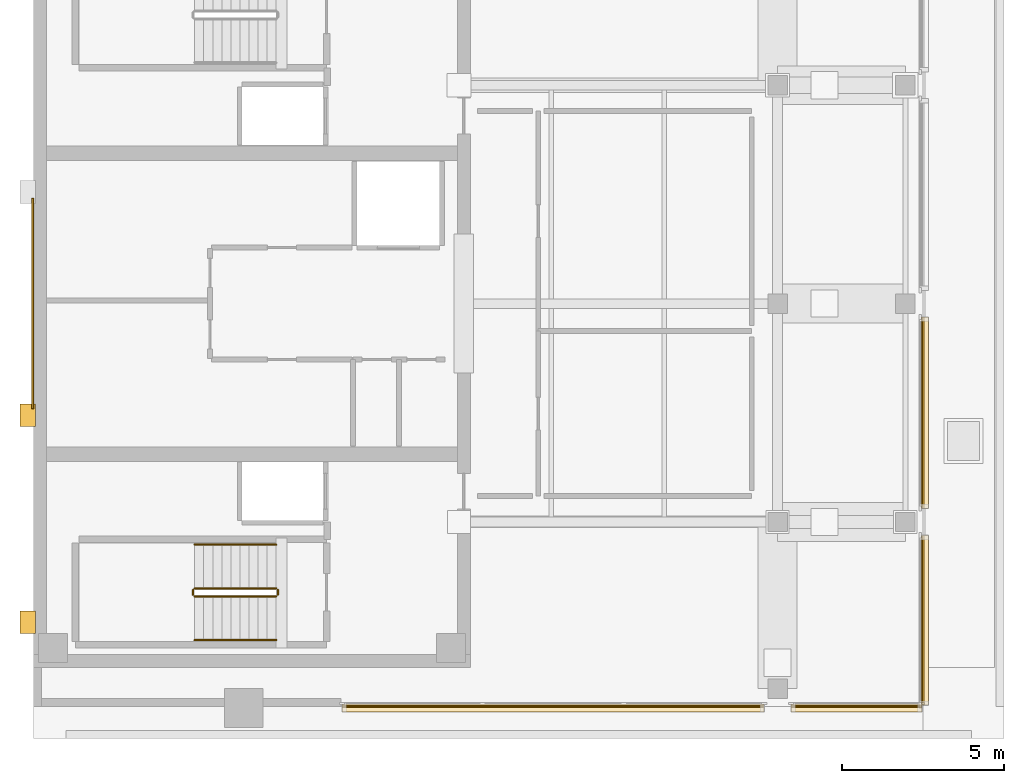
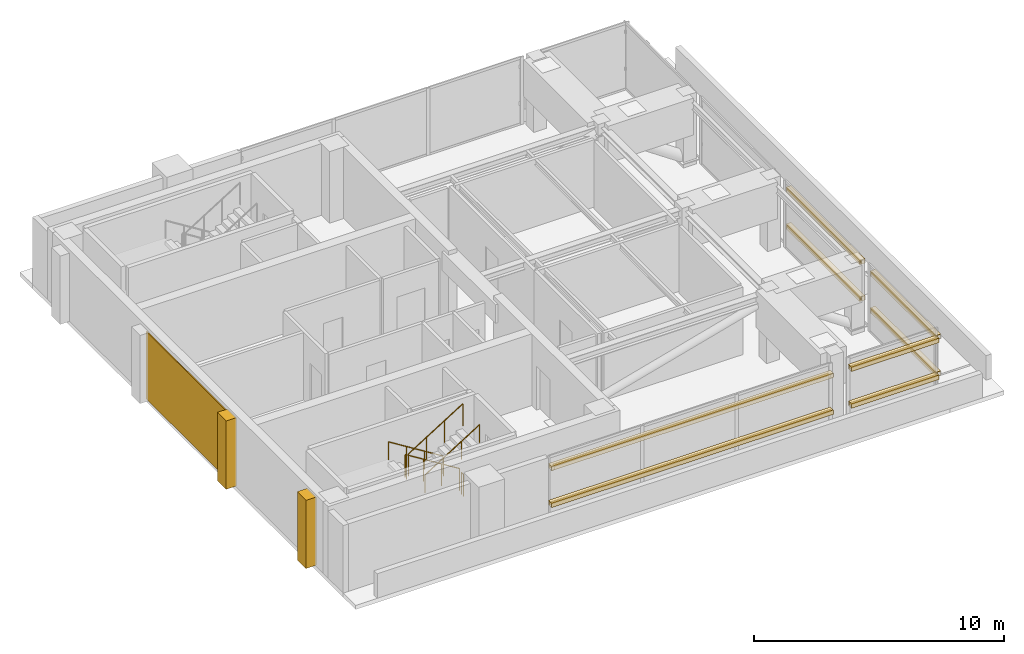
# One storey, part 7 of 9: 11 coverings, 8 shading devices, 6 railings.
"""IFC4 building model written with IfcOpenShell, lengths in metres."""

import ifcopenshell
import ifcopenshell.guid

model = None  # the IFC model being written
_history = None  # IfcOwnerHistory: only IFC2X3 demands one
_inside = {}  # id of a spatial element -> (the spatial element, [elements in it])
_under = {}  # id of a project, library or spatial element -> (it, [spatial elements below it])
_declared = {}  # id of a project -> (the project, [libraries it declares])
_typed = {}  # id of a type object -> (the type object, [elements of that type])
_made_of = {}  # id of a material, layer set ... -> (it, [elements and type objects made of it])


def new_model(schema):
    """Start an empty IFC model of exactly this schema.

    Asked for "IFC4X3", IfcOpenShell would pick the latest addendum, in which some entities
    have other attributes; the version numbers below select the first issue.
    IFC2X3 requires an IfcOwnerHistory on every rooted entity: one is made here for all.
    """
    global model, _history
    if schema == "IFC4X3":
        model = ifcopenshell.file(schema_version=(4, 3, 0, 0))
    else:
        model = ifcopenshell.file(schema=schema)
    _inside.clear()
    _under.clear()
    _declared.clear()
    _typed.clear()
    _made_of.clear()
    _history = None
    if model.schema == "IFC2X3":
        org = make("IfcOrganization", Name="unknown")
        user = make(
            "IfcPersonAndOrganization",
            ThePerson=make("IfcPerson", FamilyName="unknown"),
            TheOrganization=org,
        )
        app = make(
            "IfcApplication",
            ApplicationDeveloper=org,
            Version="unknown",
            ApplicationFullName="unknown",
            ApplicationIdentifier="unknown",
        )
        _history = make(
            "IfcOwnerHistory",
            OwningUser=user,
            OwningApplication=app,
            ChangeAction="ADDED",
            CreationDate=0,
        )
    return model


def make(cls, **values):
    """One entity of the class cls with the attributes given. An attribute that is None is left unset."""
    return model.create_entity(
        cls, **{name: value for name, value in values.items() if value is not None}
    )


def rooted(cls, **values):
    """An entity with a GlobalId (a new one), such as an element, a storey or a relation."""
    return make(cls, GlobalId=ifcopenshell.guid.new(), OwnerHistory=_history, **values)


def si_unit(unit_type, name, prefix=None):
    """IfcSIUnit, for example si_unit("LENGTHUNIT", "METRE", prefix="MILLI")."""
    return make("IfcSIUnit", UnitType=unit_type, Prefix=prefix, Name=name)


def assignment(units):
    """IfcUnitAssignment: the units of a project."""
    return None if units is None else make("IfcUnitAssignment", Units=units)


def point(xyz):
    """IfcCartesianPoint."""
    return None if xyz is None else make("IfcCartesianPoint", Coordinates=xyz)


def direction(xyz):
    """IfcDirection."""
    return None if xyz is None else make("IfcDirection", DirectionRatios=xyz)


def frame(location, z_axis=None, x_axis=None):
    """IfcAxis2Placement3D, a coordinate frame: its origin and axes. An axis left out is left unset."""
    return make(
        "IfcAxis2Placement3D",
        Location=point(location),
        Axis=direction(z_axis),
        RefDirection=direction(x_axis),
    )


def frame_2d(location, x_axis=None):
    """IfcAxis2Placement2D, a coordinate frame in the plane: its origin and x axis."""
    return make(
        "IfcAxis2Placement2D", Location=point(location), RefDirection=direction(x_axis)
    )


def origin():
    """The frame at (0, 0, 0) with its axes left unset."""
    return frame((0.0, 0.0, 0.0))


def origin_2d():
    """The frame at (0, 0) in the plane with its x axis left unset."""
    return frame_2d((0.0, 0.0))


def place(relative_to, where):
    """IfcLocalPlacement: puts the frame where relative to a parent placement (None: the world)."""
    return make(
        "IfcLocalPlacement", PlacementRelTo=relative_to, RelativePlacement=where
    )


def context(
    kind, dimensions, precision=None, world=None, true_north=None, identifier=None
):
    """IfcGeometricRepresentationContext, for example the 3D "Model" context."""
    return make(
        "IfcGeometricRepresentationContext",
        ContextIdentifier=identifier,
        ContextType=kind,
        CoordinateSpaceDimension=dimensions,
        Precision=precision,
        WorldCoordinateSystem=world,
        TrueNorth=true_north,
    )


def subcontext(parent, identifier, kind, view, scale=None):
    """IfcGeometricRepresentationSubContext, for example "Body" below "Model"."""
    return make(
        "IfcGeometricRepresentationSubContext",
        ContextIdentifier=identifier,
        ContextType=kind,
        ParentContext=parent,
        TargetScale=scale,
        TargetView=view,
    )


def project(units=None, contexts=None):
    """IfcProject with its units and contexts."""
    return rooted(
        "IfcProject",
        Name="project",
        RepresentationContexts=contexts,
        UnitsInContext=assignment(units),
    )


def spatial(cls, under=None, at=None, **own):
    """A site, building, storey or space (cls), placed at a placement, below another one or the project."""
    s = rooted(cls, ObjectPlacement=at, **own)
    if under is not None:
        _under.setdefault(under.id(), (under, []))[1].append(s)
    return s


def polyline(points):
    """IfcPolyline through the points."""
    return make("IfcPolyline", Points=[point(p) for p in points])


def profile(cls, at=None, kind="AREA", **sizes):
    """A parametric profile (cls). Its sizes go by their IFC names, for example OverallWidth=200.0."""
    return make(cls, ProfileType=kind, Position=at, **sizes)


def rectangle(**sizes):
    """IfcRectangleProfileDef."""
    return profile("IfcRectangleProfileDef", **sizes)


def circle(**sizes):
    """IfcCircleProfileDef."""
    return profile("IfcCircleProfileDef", **sizes)


def outline(outer, holes=None, kind="AREA"):
    """IfcArbitraryClosedProfileDef: a profile drawn as a closed curve; with holes, ...WithVoids."""
    if holes is None:
        return make("IfcArbitraryClosedProfileDef", ProfileType=kind, OuterCurve=outer)
    return make(
        "IfcArbitraryProfileDefWithVoids",
        ProfileType=kind,
        OuterCurve=outer,
        InnerCurves=holes,
    )


def extrude(swept, where, along, depth):
    """IfcExtrudedAreaSolid: the profile swept, set in the frame where, extruded along a direction by depth."""
    return make(
        "IfcExtrudedAreaSolid",
        SweptArea=swept,
        Position=where,
        ExtrudedDirection=direction(along),
        Depth=depth,
    )


def shape(context_of_items, identifier, shape_type, items):
    """IfcShapeRepresentation: the items that make up one representation, for example the "Body"."""
    return make(
        "IfcShapeRepresentation",
        ContextOfItems=context_of_items,
        RepresentationIdentifier=identifier,
        RepresentationType=shape_type,
        Items=items,
    )


def material(Name=None, Category=None):
    """IfcMaterial."""
    return make("IfcMaterial", Name=Name, Category=Category)


def layer(
    of_material, thickness, ventilated=None, Name=None, Category=None, Priority=None
):
    """IfcMaterialLayer: one layer of a wall or slab, of a material (None: an air gap)."""
    return make(
        "IfcMaterialLayer",
        Material=of_material,
        LayerThickness=thickness,
        IsVentilated=ventilated,
        Name=Name,
        Category=Category,
        Priority=Priority,
    )


def layer_set(layers, Name=None):
    """IfcMaterialLayerSet."""
    return make("IfcMaterialLayerSet", MaterialLayers=layers, LayerSetName=Name)


def material_profile(
    of_material, cross_section, Name=None, Category=None, Priority=None
):
    """IfcMaterialProfile: a cross section and its material."""
    return make(
        "IfcMaterialProfile",
        Name=Name,
        Material=of_material,
        Profile=cross_section,
        Priority=Priority,
        Category=Category,
    )


def profile_set(profiles, Name=None, composite=None):
    """IfcMaterialProfileSet."""
    return make(
        "IfcMaterialProfileSet",
        Name=Name,
        MaterialProfiles=profiles,
        CompositeProfile=composite,
    )


def made_of(thing, what):
    """Note that an element or type object is made of a material, layer set ...; save() writes the relation."""
    if what is not None:
        _made_of.setdefault(what.id(), (what, []))[1].append(thing)
    return thing


def type_object(cls, material=None, **own):
    """A type object (cls), such as IfcWallType, which elements share."""
    return made_of(rooted(cls, **own), material)


def element(
    cls,
    number,
    at=None,
    inside=None,
    cuts=None,
    type_object=None,
    material=None,
    context=None,
    identifier="Body",
    shape_type=None,
    held_by="IfcProductDefinitionShape",
    body=None,
    shapes=None,
    **own,
):
    """One element of the class cls, such as IfcWall. Its Tag is "e" and its number.

    at: its placement. inside: the storey or other place that contains it. cuts: it is an
    opening in that element (IfcRelVoidsElement). A single representation is given by context,
    identifier, shape_type and body (its items); several are given by shapes. held_by: the class
    of the entity that holds the representations. save() writes the other relations.
    """
    e = rooted(cls, Tag="e%d" % number, ObjectPlacement=at, **own)
    if body is not None:
        shapes = [shape(context, identifier, shape_type, body)]
    if shapes is not None:
        e.Representation = make(held_by, Representations=shapes)
    if inside is not None:
        _inside.setdefault(inside.id(), (inside, []))[1].append(e)
    if cuts is not None:
        rooted(
            "IfcRelVoidsElement", RelatingBuildingElement=cuts, RelatedOpeningElement=e
        )
    if type_object is not None:
        _typed.setdefault(type_object.id(), (type_object, []))[1].append(e)
    return made_of(e, material)


def aggregate(whole, parts):
    """IfcRelAggregates: a whole, such as a stair, and the parts it consists of."""
    return rooted("IfcRelAggregates", RelatingObject=whole, RelatedObjects=parts)


def save(model, path):
    """Write the relations noted so far, then the file.

    IfcRelAggregates (storeys below a building ...), IfcRelContainedInSpatialStructure (elements
    in a storey), IfcRelDefinesByType, IfcRelAssociatesMaterial and IfcRelDeclares: one each for
    every whole, place, type object, material and project.
    """
    for whole, parts in _under.values():
        aggregate(whole, parts)
    for where, things in _inside.values():
        rooted(
            "IfcRelContainedInSpatialStructure",
            RelatedElements=things,
            RelatingStructure=where,
        )
    for kind, things in _typed.values():
        rooted("IfcRelDefinesByType", RelatedObjects=things, RelatingType=kind)
    for what, things in _made_of.values():
        rooted("IfcRelAssociatesMaterial", RelatedObjects=things, RelatingMaterial=what)
    for by, libraries in _declared.values():
        rooted("IfcRelDeclares", RelatingContext=by, RelatedDefinitions=libraries)
    model.write(path)


model = new_model("IFC4")

# Units and contexts
model_context = context("Model", 3, precision=1e-05, world=origin(), true_north=direction((0.0, 1.0)))
body_context = subcontext(model_context, "Body", "Model", "MODEL_VIEW")
ifc_project = project(units=[si_unit("LENGTHUNIT", "METRE"), si_unit("AREAUNIT", "SQUARE_METRE"), si_unit("VOLUMEUNIT", "CUBIC_METRE"), si_unit("PLANEANGLEUNIT", "RADIAN"), si_unit("MASSUNIT", "GRAM", prefix="KILO")], contexts=[model_context])

# Site, building, storey
site_placement = place(None, origin())
site = spatial("IfcSite", under=ifc_project, at=site_placement, CompositionType="ELEMENT")
building_placement = place(site_placement, origin())
building = spatial("IfcBuilding", under=site, at=building_placement, Name="Kinhvarn Gate Tower", CompositionType="ELEMENT")
storey_placement = place(building_placement, frame((0.0, 0.0, 318.050048828125)))
storey = spatial("IfcBuildingStorey", under=building, at=storey_placement, Name="L84", CompositionType="ELEMENT", Elevation=318.050048828125)

# Coverings
ifc_material_1 = material(Name="Fired architectural terracotta", Category="masonry")
ifc_layer_1 = layer(ifc_material_1, 0.239990234375)
ifc_layer_set_1 = layer_set([ifc_layer_1], Name="Fired architectural terracotta")
covering_type_1 = type_object("IfcCoveringType", Name="COV-BAG-220", PredefinedType="CLADDING", material=ifc_layer_set_1)
for number, where, name in (
    (1, (0.0, 0.0, 0.93994140625), "Terracotta Horizontal Sunscreen Band TBG-220 (L84)"),
    (2, (0.0, 0.0, 2.739990234375), "Terracotta Horizontal Sunscreen Band TBG-220 (L84)"),
):
    element("IfcCovering", number, at=place(storey_placement, frame(where)), inside=storey, type_object=covering_type_1, Name=name, PredefinedType="CLADDING", context=body_context, shape_type="SweptSolid", body=[
        extrude(outline(polyline([(14.0400390625, 12.8701171875), (27.080078125, 12.8701171875), (27.080078125, 12.6298828125), (14.0400390625, 12.6298828125), (14.0400390625, 12.8701171875)])), origin(), (0.0, 0.0, 1.0), 0.219970703125),
    ])
for number, where, name in (
    (3, (0.0, 0.0, 0.93994140625), "Terracotta Horizontal Sunscreen Band TBG-220 (L84)"),
    (4, (0.0, 0.0, 2.739990234375), "Terracotta Horizontal Sunscreen Band TBG-220 (L84)"),
):
    element("IfcCovering", number, at=place(storey_placement, frame(where)), inside=storey, type_object=covering_type_1, Name=name, PredefinedType="CLADDING", context=body_context, shape_type="SweptSolid", body=[
        extrude(outline(polyline([(27.919921875, 12.8701171875), (31.9599609375, 12.8701171875), (31.9599609375, 12.6298828125), (27.919921875, 12.6298828125), (27.919921875, 12.8701171875)])), origin(), (0.0, 0.0, 1.0), 0.219970703125),
    ])
for number, where, name in (
    (5, (0.0, 0.0, 0.93994140625), "Terracotta Horizontal Sunscreen Band TBG-220 (L84)"),
    (6, (0.0, 0.0, 2.739990234375), "Terracotta Horizontal Sunscreen Band TBG-220 (L84)"),
):
    element("IfcCovering", number, at=place(storey_placement, frame(where)), inside=storey, type_object=covering_type_1, Name=name, PredefinedType="CLADDING", context=body_context, shape_type="SweptSolid", body=[
        extrude(outline(polyline([(31.929931640625, 12.840087890625), (31.929931640625, 18.080078125), (32.169921875, 18.080078125), (32.169921875, 12.840087890625), (31.929931640625, 12.840087890625)])), origin(), (0.0, 0.0, 1.0), 0.219970703125),
    ])
for number, where, name in (
    (7, (0.0, 0.0, 0.93994140625), "Terracotta Horizontal Sunscreen Band TBG-220 (L84)"),
    (8, (0.0, 0.0, 2.739990234375), "Terracotta Horizontal Sunscreen Band TBG-220 (L84)"),
):
    element("IfcCovering", number, at=place(storey_placement, frame(where)), inside=storey, type_object=covering_type_1, Name=name, PredefinedType="CLADDING", context=body_context, shape_type="SweptSolid", body=[
        extrude(outline(polyline([(31.929931640625, 18.919921875), (31.929931640625, 24.830078125), (32.169921875, 24.830078125), (32.169921875, 18.919921875), (31.929931640625, 18.919921875)])), origin(), (0.0, 0.0, 1.0), 0.219970703125),
    ])
ifc_layer_2 = layer(ifc_material_1, 0.050048828125)
ifc_layer_set_2 = layer_set([ifc_layer_2], Name="Fired architectural terracotta")
covering_type_2 = type_object("IfcCoveringType", Name="COV-CLD-50", PredefinedType="CLADDING", material=ifc_layer_set_2)
covering_1_placement = place(storey_placement, origin())
element("IfcCovering", 9, at=covering_1_placement, inside=storey, type_object=covering_type_2, Name="West Core Terracotta Cladding Feature Panel (L84)", PredefinedType="CLADDING", context=body_context, shape_type="SweptSolid", body=[
    extrude(outline(polyline([(4.449951171875, 22.0), (4.5, 22.0), (4.5, 28.5), (4.449951171875, 28.5), (4.449951171875, 22.0)])), origin(), (0.0, 0.0, 1.0), 3.300048828125),
])
ifc_material_2 = material(Name="Precast white architectural concrete C40/50", Category="concrete")
ifc_layer_3 = layer(ifc_material_2, 0.47998046875)
ifc_layer_set_3 = layer_set([ifc_layer_3], Name="Precast white architectural concrete C40/50")
covering_type_3 = type_object("IfcCoveringType", Name="COV-RIB-450", PredefinedType="CLADDING", material=ifc_layer_set_3)
covering_2_placement = place(storey_placement, frame((0.0, 0.0, -0.02001953125)))
element("IfcCovering", 10, at=covering_2_placement, inside=storey, type_object=covering_type_3, Name="West Core Sculptural Concrete Relief Rib CRB-450 (L84)", PredefinedType="CLADDING", context=body_context, shape_type="SweptSolid", body=[
    extrude(outline(polyline([(4.080078125, 15.050048828125), (4.56005859375, 15.050048828125), (4.56005859375, 15.75), (4.080078125, 15.75), (4.080078125, 15.050048828125)])), origin(), (0.0, 0.0, 1.0), 3.340087890625),
])
covering_3_placement = place(storey_placement, frame((0.0, 0.0, -0.02001953125)))
element("IfcCovering", 11, at=covering_3_placement, inside=storey, type_object=covering_type_3, Name="West Core Sculptural Concrete Relief Rib CRB-450 (L84)", PredefinedType="CLADDING", context=body_context, shape_type="SweptSolid", body=[
    extrude(outline(polyline([(4.080078125, 21.449951171875), (4.56005859375, 21.449951171875), (4.56005859375, 22.14990234375), (4.080078125, 22.14990234375), (4.080078125, 21.449951171875)])), origin(), (0.0, 0.0, 1.0), 3.340087890625),
])

# Railings
ifc_material_3 = material(Name="Steel S355", Category="steel")
railing_type_1 = type_object("IfcRailingType", Name="RL-ST-GRD", PredefinedType="BALUSTRADE", material=ifc_material_3)
railing_1_placement = place(storey_placement, frame((12.0, 16.449951171875, 0.175048828125)))
element("IfcRailing", 12, at=railing_1_placement, inside=storey, type_object=railing_type_1, Name="L84 ST1 stair guard 1", PredefinedType="BALUSTRADE", context=body_context, shape_type="SweptSolid", body=[
    extrude(circle(Radius=0.02392578125, at=origin_2d()), frame((0.0, 0.0, 1.076171875), z_axis=(-0.848007534815, 0.0, 0.529984170421), x_axis=(0.0, -1.0, 0.0)), (0.0, 0.0, 1.0), 2.9716796875),
    extrude(circle(Radius=0.02099609375, at=origin_2d()), origin(), (0.0, 0.0, 1.0), 1.052001953125),
    extrude(circle(Radius=0.02099609375, at=origin_2d()), frame((-0.840087890625, 0.0, 0.52490234375)), (0.0, 0.0, 1.0), 1.052001953125),
    extrude(circle(Radius=0.02099609375, at=origin_2d()), frame((-1.679931640625, 0.0, 1.050048828125)), (0.0, 0.0, 1.0), 1.052001953125),
    extrude(circle(Radius=0.02099609375, at=origin_2d()), frame((-2.52001953125, 0.0, 1.574951171875)), (0.0, 0.0, 1.0), 1.052001953125),
])
railing_2_placement = place(storey_placement, frame((9.429931640625, 16.39990234375, 1.75)))
element("IfcRailing", 13, at=railing_2_placement, inside=storey, type_object=railing_type_1, Name="L84 ST1 stair guard 2", PredefinedType="BALUSTRADE", context=body_context, shape_type="SweptSolid", body=[
    extrude(circle(Radius=0.02392578125, at=origin_2d()), frame((0.0, 0.0, 1.076171875), z_axis=(0.0, -1.0, 0.0), x_axis=(1.0, 0.0, 0.0)), (0.0, 0.0, 1.0), 0.14990234375),
    extrude(circle(Radius=0.02099609375, at=origin_2d()), origin(), (0.0, 0.0, 1.0), 1.052001953125),
    extrude(circle(Radius=0.02099609375, at=origin_2d()), frame((0.0, -0.14990234375, 0.0)), (0.0, 0.0, 1.0), 1.052001953125),
])
railing_3_placement = place(storey_placement, frame((9.47998046875, 16.199951171875, 1.925048828125)))
element("IfcRailing", 14, at=railing_3_placement, inside=storey, type_object=railing_type_1, Name="L84 ST1 stair guard 3", PredefinedType="BALUSTRADE", context=body_context, shape_type="SweptSolid", body=[
    extrude(circle(Radius=0.02392578125, at=origin_2d()), frame((0.0, 0.0, 1.076171875), z_axis=(0.848007534815, 0.0, 0.529984170421), x_axis=(0.0, 1.0, 0.0)), (0.0, 0.0, 1.0), 2.9716796875),
    extrude(circle(Radius=0.02099609375, at=origin_2d()), origin(), (0.0, 0.0, 1.0), 1.052001953125),
    extrude(circle(Radius=0.02099609375, at=origin_2d()), frame((0.840087890625, 0.0, 0.52490234375)), (0.0, 0.0, 1.0), 1.052001953125),
    extrude(circle(Radius=0.02099609375, at=origin_2d()), frame((1.679931640625, 0.0, 1.050048828125)), (0.0, 0.0, 1.0), 1.052001953125),
    extrude(circle(Radius=0.02099609375, at=origin_2d()), frame((2.52001953125, 0.0, 1.574951171875)), (0.0, 0.0, 1.0), 1.052001953125),
])
railing_4_placement = place(storey_placement, frame((12.050048828125, 16.39990234375, 0.0)))
element("IfcRailing", 15, at=railing_4_placement, inside=storey, type_object=railing_type_1, Name="L84 ST1 stair guard 4", PredefinedType="BALUSTRADE", context=body_context, shape_type="SweptSolid", body=[
    extrude(circle(Radius=0.02392578125, at=origin_2d()), frame((0.0, 0.0, 1.076171875), z_axis=(0.0, -1.0, 0.0), x_axis=(1.0, 0.0, 0.0)), (0.0, 0.0, 1.0), 0.14990234375),
    extrude(circle(Radius=0.02099609375, at=origin_2d()), origin(), (0.0, 0.0, 1.0), 1.052001953125),
    extrude(circle(Radius=0.02099609375, at=origin_2d()), frame((0.0, -0.14990234375, 0.0)), (0.0, 0.0, 1.0), 1.052001953125),
])
railing_type_2 = type_object("IfcRailingType", Name="RL-ST-HND", PredefinedType="HANDRAIL", material=ifc_material_3)
railing_5_placement = place(storey_placement, frame((12.0, 17.800048828125, 0.175048828125)))
element("IfcRailing", 16, at=railing_5_placement, inside=storey, type_object=railing_type_2, Name="L84 ST1 stair handrail 1", PredefinedType="HANDRAIL", context=body_context, shape_type="SweptSolid", body=[
    extrude(circle(Radius=0.02392578125, at=origin_2d()), frame((0.0, 0.0, 0.8759765625), z_axis=(-0.848007534815, 0.0, 0.529984170421), x_axis=(0.0, -1.0, 0.0)), (0.0, 0.0, 1.0), 2.9716796875),
    extrude(circle(Radius=0.02099609375, at=origin_2d()), origin(), (0.0, 0.0, 1.0), 0.851806640625),
    extrude(circle(Radius=0.02099609375, at=origin_2d()), frame((-0.840087890625, 0.0, 0.52490234375)), (0.0, 0.0, 1.0), 0.851806640625),
    extrude(circle(Radius=0.02099609375, at=origin_2d()), frame((-1.679931640625, 0.0, 1.050048828125)), (0.0, 0.0, 1.0), 0.851806640625),
    extrude(circle(Radius=0.02099609375, at=origin_2d()), frame((-2.52001953125, 0.0, 1.574951171875)), (0.0, 0.0, 1.0), 0.851806640625),
])
railing_6_placement = place(storey_placement, frame((9.47998046875, 14.85009765625, 1.925048828125)))
element("IfcRailing", 17, at=railing_6_placement, inside=storey, type_object=railing_type_2, Name="L84 ST1 stair handrail 2", PredefinedType="HANDRAIL", context=body_context, shape_type="SweptSolid", body=[
    extrude(circle(Radius=0.02392578125, at=origin_2d()), frame((0.0, 0.0, 0.8759765625), z_axis=(0.848007534815, 0.0, 0.529984170421), x_axis=(0.0, 1.0, 0.0)), (0.0, 0.0, 1.0), 2.9716796875),
    extrude(circle(Radius=0.02099609375, at=origin_2d()), origin(), (0.0, 0.0, 1.0), 0.851806640625),
    extrude(circle(Radius=0.02099609375, at=origin_2d()), frame((0.840087890625, 0.0, 0.52490234375)), (0.0, 0.0, 1.0), 0.851806640625),
    extrude(circle(Radius=0.02099609375, at=origin_2d()), frame((1.679931640625, 0.0, 1.050048828125)), (0.0, 0.0, 1.0), 0.851806640625),
    extrude(circle(Radius=0.02099609375, at=origin_2d()), frame((2.52001953125, 0.0, 1.574951171875)), (0.0, 0.0, 1.0), 0.851806640625),
])

# Shading devices
ifc_material_profile = material_profile(ifc_material_1, rectangle(XDim=0.050048828125, YDim=0.1201171875, at=origin_2d()), Name="TC 50x120")
ifc_profile_set = profile_set([ifc_material_profile], Name="Fired architectural terracotta")
shading_device_type = type_object("IfcShadingDeviceType", Name="SHD-BAG-140", PredefinedType="USERDEFINED", material=ifc_profile_set)
for number, where, z_axis, x_axis, name in (
    (18, (14.0400390625, 12.800048828125, 1.050048828125), (1.0, 0.0, 0.0), (0.0, 1.0, 0.0), "Upper Tower Terracotta Baguette Screen Rod 50x120 mm (L84)"),
    (19, (14.0400390625, 12.800048828125, 2.849853515625), (1.0, 0.0, 0.0), (0.0, 1.0, 0.0), "Upper Tower Terracotta Baguette Screen Rod 50x120 mm (L84)"),
):
    element("IfcShadingDevice", number, at=place(storey_placement, frame(where, z_axis=z_axis, x_axis=x_axis)), inside=storey, type_object=shading_device_type, Name=name, ObjectType="BAGUETTE", PredefinedType="USERDEFINED", context=body_context, shape_type="SweptSolid", body=[
        extrude(rectangle(XDim=0.050048828125, YDim=0.1201171875, at=origin_2d()), origin(), (0.0, 0.0, 1.0), 13.0400390625),
    ])
for number, where, z_axis, x_axis, name in (
    (20, (27.919921875, 12.800048828125, 1.050048828125), (1.0, 0.0, 0.0), (0.0, 1.0, 0.0), "Upper Tower Terracotta Baguette Screen Rod 50x120 mm (L84)"),
    (21, (27.919921875, 12.800048828125, 2.849853515625), (1.0, 0.0, 0.0), (0.0, 1.0, 0.0), "Upper Tower Terracotta Baguette Screen Rod 50x120 mm (L84)"),
):
    element("IfcShadingDevice", number, at=place(storey_placement, frame(where, z_axis=z_axis, x_axis=x_axis)), inside=storey, type_object=shading_device_type, Name=name, ObjectType="BAGUETTE", PredefinedType="USERDEFINED", context=body_context, shape_type="SweptSolid", body=[
        extrude(rectangle(XDim=0.050048828125, YDim=0.1201171875, at=origin_2d()), origin(), (0.0, 0.0, 1.0), 4.0400390625),
    ])
for number, where, z_axis, x_axis, name in (
    (22, (32.0, 12.840087890625, 1.050048828125), (0.0, 1.0, 0.0), (-1.0, 0.0, 0.0), "Upper Tower Terracotta Baguette Screen Rod 50x120 mm (L84)"),
    (23, (32.0, 12.840087890625, 2.849853515625), (0.0, 1.0, 0.0), (-1.0, 0.0, 0.0), "Upper Tower Terracotta Baguette Screen Rod 50x120 mm (L84)"),
):
    element("IfcShadingDevice", number, at=place(storey_placement, frame(where, z_axis=z_axis, x_axis=x_axis)), inside=storey, type_object=shading_device_type, Name=name, ObjectType="BAGUETTE", PredefinedType="USERDEFINED", context=body_context, shape_type="SweptSolid", body=[
        extrude(rectangle(XDim=0.050048828125, YDim=0.1201171875, at=origin_2d()), origin(), (0.0, 0.0, 1.0), 5.239990234375),
    ])
for number, where, z_axis, x_axis, name in (
    (24, (32.0, 18.919921875, 1.050048828125), (0.0, 1.0, 0.0), (-1.0, 0.0, 0.0), "Upper Tower Terracotta Baguette Screen Rod 50x120 mm (L84)"),
    (25, (32.0, 18.919921875, 2.849853515625), (0.0, 1.0, 0.0), (-1.0, 0.0, 0.0), "Upper Tower Terracotta Baguette Screen Rod 50x120 mm (L84)"),
):
    element("IfcShadingDevice", number, at=place(storey_placement, frame(where, z_axis=z_axis, x_axis=x_axis)), inside=storey, type_object=shading_device_type, Name=name, ObjectType="BAGUETTE", PredefinedType="USERDEFINED", context=body_context, shape_type="SweptSolid", body=[
        extrude(rectangle(XDim=0.050048828125, YDim=0.1201171875, at=origin_2d()), origin(), (0.0, 0.0, 1.0), 5.91015625),
    ])

save(model, "model.ifc")
